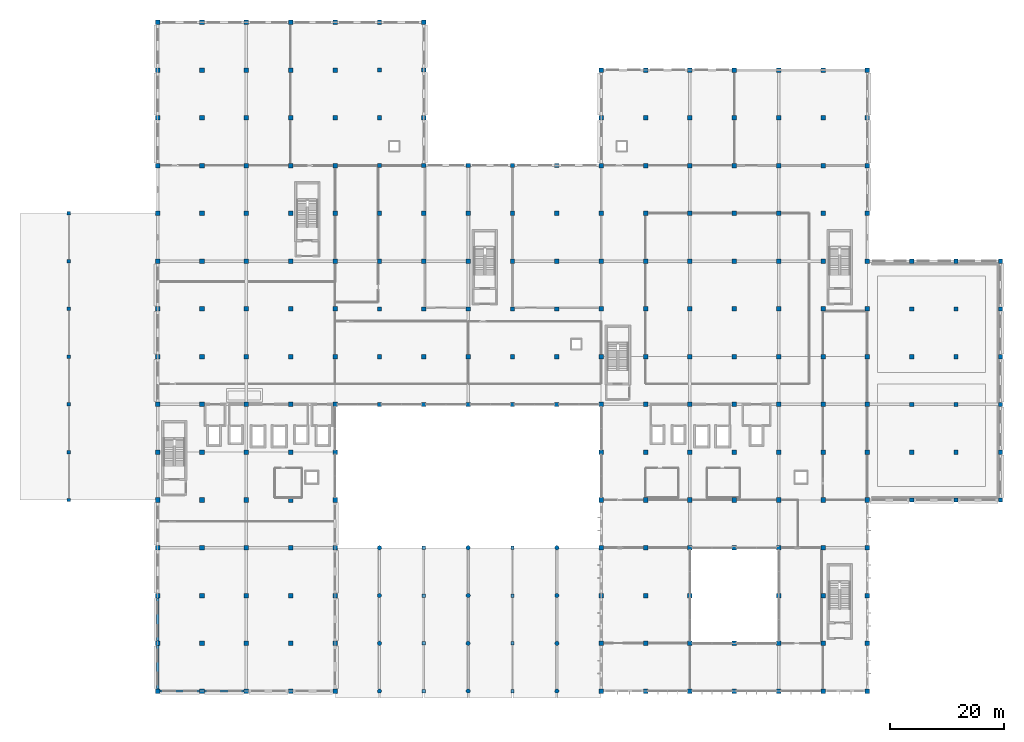
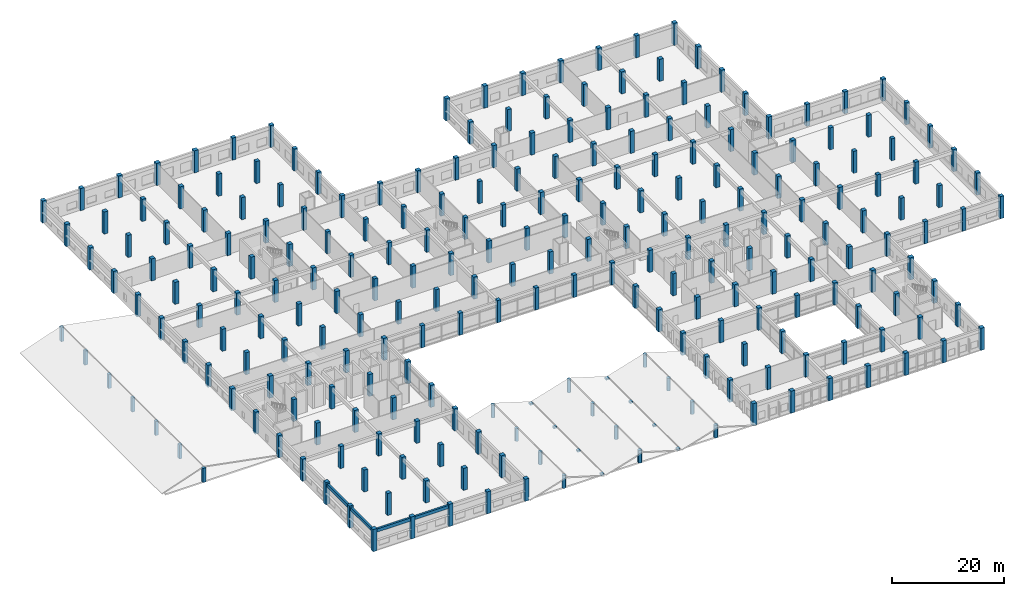
# One storey, part 1 of 62: 253 columns, 4 beams.
"""IFC4 building model written with IfcOpenShell, lengths in metres."""

from ifc_helpers import new_model, si_unit, direction, frame, origin, origin_2d, place, context, subcontext, project, spatial, rectangle, circle, extrude, material, material_profile, profile_set, type_object, element, save


model = new_model("IFC4")

# Units and contexts
model_context = context("Model", 3, precision=1e-05, world=origin(), true_north=direction((0.0, 1.0)))
body_context = subcontext(model_context, "Body", "Model", "MODEL_VIEW")
ifc_project = project(units=[si_unit("LENGTHUNIT", "METRE"), si_unit("AREAUNIT", "SQUARE_METRE"), si_unit("VOLUMEUNIT", "CUBIC_METRE"), si_unit("PLANEANGLEUNIT", "RADIAN"), si_unit("MASSUNIT", "GRAM", prefix="KILO"), si_unit("THERMODYNAMICTEMPERATUREUNIT", "KELVIN"), si_unit("POWERUNIT", "WATT")], contexts=[model_context])

# Site, building, storey
site_placement = place(None, origin())
site = spatial("IfcSite", under=ifc_project, at=site_placement, CompositionType="ELEMENT")
building_placement = place(site_placement, origin())
building = spatial("IfcBuilding", under=site, at=building_placement, Name="Srebrne Nadtorze General Hospital", CompositionType="ELEMENT")
storey_placement = place(building_placement, frame((0.0, 0.0, 9.60009765625)))
storey = spatial("IfcBuildingStorey", under=building, at=storey_placement, Name="L02", CompositionType="ELEMENT", Elevation=9.60009765625)

# Columns
ifc_material_1 = material(Name="Concrete C35/45", Category="concrete")
ifc_material_profile_1 = material_profile(ifc_material_1, rectangle(XDim=0.60009765625, YDim=0.60009765625, at=origin_2d()), Name="RC-COL-600x600")
ifc_profile_set_1 = profile_set([ifc_material_profile_1], Name="Concrete C35/45")
column_type_1 = type_object("IfcColumnType", Name="Reinforced concrete column 600x600", PredefinedType="COLUMN", material=ifc_profile_set_1)
for number, where, z_axis, x_axis, name in (
    (1, (70.199951171875, 0.0, 0.0), (0.0, 0.0, 1.0), (1.0, 0.0, 0.0), "Folded plate valley pedestal 10-A"),
    (2, (70.199951171875, 8.39990234375, 0.0), (0.0, 0.0, 1.0), (1.0, 0.0, 0.0), "Folded plate valley pedestal 10-B"),
    (3, (70.199951171875, 16.800048828125, 0.0), (0.0, 0.0, 1.0), (1.0, 0.0, 0.0), "Folded plate valley pedestal 10-C"),
    (4, (70.199951171875, 25.199951171875, 0.0), (0.0, 0.0, 1.0), (1.0, 0.0, 0.0), "Folded plate valley pedestal 10-D"),
    (5, (85.800048828125, 0.0, 0.0), (0.0, 0.0, 1.0), (1.0, 0.0, 0.0), "Folded plate valley pedestal 12-A"),
    (6, (85.800048828125, 8.39990234375, 0.0), (0.0, 0.0, 1.0), (1.0, 0.0, 0.0), "Folded plate valley pedestal 12-B"),
    (7, (85.800048828125, 16.800048828125, 0.0), (0.0, 0.0, 1.0), (1.0, 0.0, 0.0), "Folded plate valley pedestal 12-C"),
    (8, (85.800048828125, 25.199951171875, 0.0), (0.0, 0.0, 1.0), (1.0, 0.0, 0.0), "Folded plate valley pedestal 12-D"),
):
    element("IfcColumn", number, at=place(storey_placement, frame(where, z_axis=z_axis, x_axis=x_axis)), inside=storey, type_object=column_type_1, Name=name, PredefinedType="COLUMN", context=body_context, shape_type="SweptSolid", body=[
        extrude(rectangle(XDim=0.60009765625, YDim=0.60009765625, at=origin_2d()), origin(), (0.0, 0.0, 1.0), 0.3798828125),
    ])
for number, where, z_axis, x_axis, name in (
    (9, (7.800048828125, 33.60009765625, 0.0), (0.0, 0.0, 1.0), (1.0, 0.0, 0.0), "Pavilion roof ridge column EMG 01"),
    (10, (7.800048828125, 42.0, 0.0), (0.0, 0.0, 1.0), (1.0, 0.0, 0.0), "Pavilion roof ridge column EMG 02"),
    (11, (7.800048828125, 50.39990234375, 0.0), (0.0, 0.0, 1.0), (1.0, 0.0, 0.0), "Pavilion roof ridge column EMG 03"),
    (12, (7.800048828125, 58.800048828125, 0.0), (0.0, 0.0, 1.0), (1.0, 0.0, 0.0), "Pavilion roof ridge column EMG 04"),
    (13, (7.800048828125, 67.199951171875, 0.0), (0.0, 0.0, 1.0), (1.0, 0.0, 0.0), "Pavilion roof ridge column EMG 05"),
    (14, (7.800048828125, 75.60009765625, 0.0), (0.0, 0.0, 1.0), (1.0, 0.0, 0.0), "Pavilion roof ridge column EMG 06"),
    (15, (7.800048828125, 84.0, 0.0), (0.0, 0.0, 1.0), (1.0, 0.0, 0.0), "Pavilion roof ridge column EMG 07"),
):
    element("IfcColumn", number, at=place(storey_placement, frame(where, z_axis=z_axis, x_axis=x_axis)), inside=storey, type_object=column_type_1, Name=name, PredefinedType="COLUMN", context=body_context, shape_type="SweptSolid", body=[
        extrude(rectangle(XDim=0.60009765625, YDim=0.60009765625, at=origin_2d()), origin(), (0.0, 0.0, 1.0), 3.079833984375),
    ])
ifc_material_2 = material(Name="Concrete C40/50", Category="concrete")
ifc_material_profile_2 = material_profile(ifc_material_2, rectangle(XDim=0.75, YDim=0.75, at=origin_2d()), Name="RC-COL-750x750")
ifc_profile_set_2 = profile_set([ifc_material_profile_2], Name="Concrete C40/50")
column_type_2 = type_object("IfcColumnType", Name="Reinforced concrete column 750x750", PredefinedType="COLUMN", material=ifc_profile_set_2)
for number, where, z_axis, x_axis, name in (
    (16, (62.39990234375, 50.39990234375, 0.0), (0.0, 0.0, 1.0), (1.0, 0.0, 0.0), "Column CL-L02-9-G"),
    (17, (62.39990234375, 58.800048828125, 0.0), (0.0, 0.0, 1.0), (1.0, 0.0, 0.0), "Column CL-L02-9-H"),
    (18, (62.39990234375, 67.199951171875, 0.0), (0.0, 0.0, 1.0), (1.0, 0.0, 0.0), "Column CL-L02-9-J"),
    (19, (62.39990234375, 75.60009765625, 0.0), (0.0, 0.0, 1.0), (1.0, 0.0, 0.0), "Column CL-L02-9-K"),
    (20, (62.39990234375, 84.0, 0.0), (0.0, 0.0, 1.0), (1.0, 0.0, 0.0), "Column CL-L02-9-L"),
    (21, (62.39990234375, 92.39990234375, 0.0), (0.0, 0.0, 1.0), (1.0, 0.0, 0.0), "Column CL-L02-9-M"),
    (22, (62.39990234375, 100.800048828125, 0.0), (0.0, 0.0, 1.0), (1.0, 0.0, 0.0), "Column CL-L02-9-N"),
    (23, (62.39990234375, 109.199951171875, 0.0), (0.0, 0.0, 1.0), (1.0, 0.0, 0.0), "Column CL-L02-9-P"),
    (24, (62.39990234375, 117.60009765625, 0.0), (0.0, 0.0, 1.0), (1.0, 0.0, 0.0), "Column CL-L02-9-Q"),
    (25, (70.199951171875, 50.39990234375, 0.0), (0.0, 0.0, 1.0), (1.0, 0.0, 0.0), "Column CL-L02-10-G"),
    (26, (70.199951171875, 58.800048828125, 0.0), (0.0, 0.0, 1.0), (1.0, 0.0, 0.0), "Column CL-L02-10-H"),
    (27, (70.199951171875, 67.199951171875, 0.0), (0.0, 0.0, 1.0), (1.0, 0.0, 0.0), "Column CL-L02-10-J"),
    (28, (70.199951171875, 75.60009765625, 0.0), (0.0, 0.0, 1.0), (1.0, 0.0, 0.0), "Column CL-L02-10-K"),
    (29, (70.199951171875, 84.0, 0.0), (0.0, 0.0, 1.0), (1.0, 0.0, 0.0), "Column CL-L02-10-L"),
    (30, (70.199951171875, 92.39990234375, 0.0), (0.0, 0.0, 1.0), (1.0, 0.0, 0.0), "Column CL-L02-10-M"),
    (31, (70.199951171875, 100.800048828125, 0.0), (0.0, 0.0, 1.0), (1.0, 0.0, 0.0), "Column CL-L02-10-N"),
    (32, (70.199951171875, 109.199951171875, 0.0), (0.0, 0.0, 1.0), (1.0, 0.0, 0.0), "Column CL-L02-10-P"),
    (33, (70.199951171875, 117.60009765625, 0.0), (0.0, 0.0, 1.0), (1.0, 0.0, 0.0), "Column CL-L02-10-Q"),
    (34, (78.0, 50.39990234375, 0.0), (0.0, 0.0, 1.0), (1.0, 0.0, 0.0), "Column CL-L02-11-G"),
    (35, (78.0, 58.800048828125, 0.0), (0.0, 0.0, 1.0), (1.0, 0.0, 0.0), "Column CL-L02-11-H"),
    (36, (78.0, 67.199951171875, 0.0), (0.0, 0.0, 1.0), (1.0, 0.0, 0.0), "Column CL-L02-11-J"),
    (37, (78.0, 75.60009765625, 0.0), (0.0, 0.0, 1.0), (1.0, 0.0, 0.0), "Column CL-L02-11-K"),
    (38, (78.0, 84.0, 0.0), (0.0, 0.0, 1.0), (1.0, 0.0, 0.0), "Column CL-L02-11-L"),
    (39, (78.0, 92.39990234375, 0.0), (0.0, 0.0, 1.0), (1.0, 0.0, 0.0), "Column CL-L02-11-M"),
    (40, (85.800048828125, 50.39990234375, 0.0), (0.0, 0.0, 1.0), (1.0, 0.0, 0.0), "Column CL-L02-12-G"),
    (41, (85.800048828125, 58.800048828125, 0.0), (0.0, 0.0, 1.0), (1.0, 0.0, 0.0), "Column CL-L02-12-H"),
    (42, (85.800048828125, 67.199951171875, 0.0), (0.0, 0.0, 1.0), (1.0, 0.0, 0.0), "Column CL-L02-12-J"),
    (43, (85.800048828125, 75.60009765625, 0.0), (0.0, 0.0, 1.0), (1.0, 0.0, 0.0), "Column CL-L02-12-K"),
    (44, (85.800048828125, 84.0, 0.0), (0.0, 0.0, 1.0), (1.0, 0.0, 0.0), "Column CL-L02-12-L"),
    (45, (85.800048828125, 92.39990234375, 0.0), (0.0, 0.0, 1.0), (1.0, 0.0, 0.0), "Column CL-L02-12-M"),
    (46, (93.60009765625, 50.39990234375, 0.0), (0.0, 0.0, 1.0), (1.0, 0.0, 0.0), "Column CL-L02-13-G"),
    (47, (93.60009765625, 58.800048828125, 0.0), (0.0, 0.0, 1.0), (1.0, 0.0, 0.0), "Column CL-L02-13-H"),
    (48, (93.60009765625, 67.199951171875, 0.0), (0.0, 0.0, 1.0), (1.0, 0.0, 0.0), "Column CL-L02-13-J"),
    (49, (93.60009765625, 75.60009765625, 0.0), (0.0, 0.0, 1.0), (1.0, 0.0, 0.0), "Column CL-L02-13-K"),
    (50, (93.60009765625, 84.0, 0.0), (0.0, 0.0, 1.0), (1.0, 0.0, 0.0), "Column CL-L02-13-L"),
    (51, (93.60009765625, 92.39990234375, 0.0), (0.0, 0.0, 1.0), (1.0, 0.0, 0.0), "Column CL-L02-13-M"),
    (52, (156.0, 33.60009765625, 0.0), (0.0, 0.0, 1.0), (1.0, 0.0, 0.0), "Column CL-L02-21-E"),
    (53, (156.0, 42.0, 0.0), (0.0, 0.0, 1.0), (1.0, 0.0, 0.0), "Column CL-L02-21-F"),
    (54, (156.0, 50.39990234375, 0.0), (0.0, 0.0, 1.0), (1.0, 0.0, 0.0), "Column CL-L02-21-G"),
    (55, (156.0, 58.800048828125, 0.0), (0.0, 0.0, 1.0), (1.0, 0.0, 0.0), "Column CL-L02-21-H"),
    (56, (156.0, 67.199951171875, 0.0), (0.0, 0.0, 1.0), (1.0, 0.0, 0.0), "Column CL-L02-21-J"),
    (57, (156.0, 75.60009765625, 0.0), (0.0, 0.0, 1.0), (1.0, 0.0, 0.0), "Column CL-L02-21-K"),
    (58, (163.800048828125, 33.60009765625, 0.0), (0.0, 0.0, 1.0), (1.0, 0.0, 0.0), "Column CL-L02-22-E"),
    (59, (163.800048828125, 42.0, 0.0), (0.0, 0.0, 1.0), (1.0, 0.0, 0.0), "Column CL-L02-22-F"),
    (60, (163.800048828125, 50.39990234375, 0.0), (0.0, 0.0, 1.0), (1.0, 0.0, 0.0), "Column CL-L02-22-G"),
    (61, (163.800048828125, 58.800048828125, 0.0), (0.0, 0.0, 1.0), (1.0, 0.0, 0.0), "Column CL-L02-22-H"),
    (62, (163.800048828125, 67.199951171875, 0.0), (0.0, 0.0, 1.0), (1.0, 0.0, 0.0), "Column CL-L02-22-J"),
    (63, (163.800048828125, 75.60009765625, 0.0), (0.0, 0.0, 1.0), (1.0, 0.0, 0.0), "Column CL-L02-22-K"),
    (64, (171.60009765625, 33.60009765625, 0.0), (0.0, 0.0, 1.0), (1.0, 0.0, 0.0), "Column CL-L02-23-E"),
    (65, (171.60009765625, 42.0, 0.0), (0.0, 0.0, 1.0), (1.0, 0.0, 0.0), "Column CL-L02-23-F"),
    (66, (171.60009765625, 50.39990234375, 0.0), (0.0, 0.0, 1.0), (1.0, 0.0, 0.0), "Column CL-L02-23-G"),
    (67, (171.60009765625, 58.800048828125, 0.0), (0.0, 0.0, 1.0), (1.0, 0.0, 0.0), "Column CL-L02-23-H"),
    (68, (171.60009765625, 67.199951171875, 0.0), (0.0, 0.0, 1.0), (1.0, 0.0, 0.0), "Column CL-L02-23-J"),
    (69, (171.60009765625, 75.60009765625, 0.0), (0.0, 0.0, 1.0), (1.0, 0.0, 0.0), "Column CL-L02-23-K"),
):
    element("IfcColumn", number, at=place(storey_placement, frame(where, z_axis=z_axis, x_axis=x_axis)), inside=storey, type_object=column_type_2, Name=name, PredefinedType="COLUMN", context=body_context, shape_type="SweptSolid", body=[
        extrude(rectangle(XDim=0.75, YDim=0.75, at=origin_2d()), origin(), (0.0, 0.0, 1.0), 4.7998046875),
    ])
ifc_material_3 = material(Name="Concrete C40/50", Category="concrete")
ifc_material_profile_3 = material_profile(ifc_material_3, rectangle(XDim=0.800048828125, YDim=0.800048828125, at=origin_2d()), Name="RC-COL-800x800")
ifc_profile_set_3 = profile_set([ifc_material_profile_3], Name="Concrete C40/50")
column_type_3 = type_object("IfcColumnType", Name="Reinforced concrete column 800x800", PredefinedType="COLUMN", material=ifc_profile_set_3)
for number, where, z_axis, x_axis, name in (
    (70, (23.39990234375, 0.0, 0.0), (0.0, 0.0, 1.0), (1.0, 0.0, 0.0), "Column CL-L02-4-A"),
    (71, (23.39990234375, 8.39990234375, 0.0), (0.0, 0.0, 1.0), (1.0, 0.0, 0.0), "Column CL-L02-4-B"),
    (72, (23.39990234375, 16.800048828125, 0.0), (0.0, 0.0, 1.0), (1.0, 0.0, 0.0), "Column CL-L02-4-C"),
    (73, (23.39990234375, 25.199951171875, 0.0), (0.0, 0.0, 1.0), (1.0, 0.0, 0.0), "Column CL-L02-4-D"),
    (74, (23.39990234375, 33.60009765625, 0.0), (0.0, 0.0, 1.0), (1.0, 0.0, 0.0), "Column CL-L02-4-E"),
    (75, (23.39990234375, 42.0, 0.0), (0.0, 0.0, 1.0), (1.0, 0.0, 0.0), "Column CL-L02-4-F"),
    (76, (23.39990234375, 50.39990234375, 0.0), (0.0, 0.0, 1.0), (1.0, 0.0, 0.0), "Column CL-L02-4-G"),
    (77, (23.39990234375, 58.800048828125, 0.0), (0.0, 0.0, 1.0), (1.0, 0.0, 0.0), "Column CL-L02-4-H"),
    (78, (23.39990234375, 67.199951171875, 0.0), (0.0, 0.0, 1.0), (1.0, 0.0, 0.0), "Column CL-L02-4-J"),
    (79, (23.39990234375, 75.60009765625, 0.0), (0.0, 0.0, 1.0), (1.0, 0.0, 0.0), "Column CL-L02-4-K"),
    (80, (23.39990234375, 84.0, 0.0), (0.0, 0.0, 1.0), (1.0, 0.0, 0.0), "Column CL-L02-4-L"),
    (81, (23.39990234375, 92.39990234375, 0.0), (0.0, 0.0, 1.0), (1.0, 0.0, 0.0), "Column CL-L02-4-M"),
    (82, (23.39990234375, 100.800048828125, 0.0), (0.0, 0.0, 1.0), (1.0, 0.0, 0.0), "Column CL-L02-4-N"),
    (83, (23.39990234375, 109.199951171875, 0.0), (0.0, 0.0, 1.0), (1.0, 0.0, 0.0), "Column CL-L02-4-P"),
    (84, (23.39990234375, 117.60009765625, 0.0), (0.0, 0.0, 1.0), (1.0, 0.0, 0.0), "Column CL-L02-4-Q"),
    (85, (31.199951171875, 0.0, 0.0), (0.0, 0.0, 1.0), (1.0, 0.0, 0.0), "Column CL-L02-5-A"),
    (86, (31.199951171875, 8.39990234375, 0.0), (0.0, 0.0, 1.0), (1.0, 0.0, 0.0), "Column CL-L02-5-B"),
    (87, (31.199951171875, 16.800048828125, 0.0), (0.0, 0.0, 1.0), (1.0, 0.0, 0.0), "Column CL-L02-5-C"),
    (88, (31.199951171875, 25.199951171875, 0.0), (0.0, 0.0, 1.0), (1.0, 0.0, 0.0), "Column CL-L02-5-D"),
    (89, (31.199951171875, 33.60009765625, 0.0), (0.0, 0.0, 1.0), (1.0, 0.0, 0.0), "Column CL-L02-5-E"),
    (90, (31.199951171875, 42.0, 0.0), (0.0, 0.0, 1.0), (1.0, 0.0, 0.0), "Column CL-L02-5-F"),
    (91, (31.199951171875, 50.39990234375, 0.0), (0.0, 0.0, 1.0), (1.0, 0.0, 0.0), "Column CL-L02-5-G"),
    (92, (31.199951171875, 58.800048828125, 0.0), (0.0, 0.0, 1.0), (1.0, 0.0, 0.0), "Column CL-L02-5-H"),
    (93, (31.199951171875, 67.199951171875, 0.0), (0.0, 0.0, 1.0), (1.0, 0.0, 0.0), "Column CL-L02-5-J"),
    (94, (31.199951171875, 75.60009765625, 0.0), (0.0, 0.0, 1.0), (1.0, 0.0, 0.0), "Column CL-L02-5-K"),
    (95, (31.199951171875, 84.0, 0.0), (0.0, 0.0, 1.0), (1.0, 0.0, 0.0), "Column CL-L02-5-L"),
    (96, (31.199951171875, 92.39990234375, 0.0), (0.0, 0.0, 1.0), (1.0, 0.0, 0.0), "Column CL-L02-5-M"),
    (97, (31.199951171875, 100.800048828125, 0.0), (0.0, 0.0, 1.0), (1.0, 0.0, 0.0), "Column CL-L02-5-N"),
    (98, (31.199951171875, 109.199951171875, 0.0), (0.0, 0.0, 1.0), (1.0, 0.0, 0.0), "Column CL-L02-5-P"),
    (99, (31.199951171875, 117.60009765625, 0.0), (0.0, 0.0, 1.0), (1.0, 0.0, 0.0), "Column CL-L02-5-Q"),
    (100, (39.0, 0.0, 0.0), (0.0, 0.0, 1.0), (1.0, 0.0, 0.0), "Column CL-L02-6-A"),
    (101, (39.0, 8.39990234375, 0.0), (0.0, 0.0, 1.0), (1.0, 0.0, 0.0), "Column CL-L02-6-B"),
    (102, (39.0, 16.800048828125, 0.0), (0.0, 0.0, 1.0), (1.0, 0.0, 0.0), "Column CL-L02-6-C"),
    (103, (39.0, 25.199951171875, 0.0), (0.0, 0.0, 1.0), (1.0, 0.0, 0.0), "Column CL-L02-6-D"),
    (104, (39.0, 33.60009765625, 0.0), (0.0, 0.0, 1.0), (1.0, 0.0, 0.0), "Column CL-L02-6-E"),
    (105, (39.0, 42.0, 0.0), (0.0, 0.0, 1.0), (1.0, 0.0, 0.0), "Column CL-L02-6-F"),
    (106, (39.0, 50.39990234375, 0.0), (0.0, 0.0, 1.0), (1.0, 0.0, 0.0), "Column CL-L02-6-G"),
    (107, (39.0, 58.800048828125, 0.0), (0.0, 0.0, 1.0), (1.0, 0.0, 0.0), "Column CL-L02-6-H"),
    (108, (39.0, 67.199951171875, 0.0), (0.0, 0.0, 1.0), (1.0, 0.0, 0.0), "Column CL-L02-6-J"),
    (109, (39.0, 75.60009765625, 0.0), (0.0, 0.0, 1.0), (1.0, 0.0, 0.0), "Column CL-L02-6-K"),
    (110, (39.0, 84.0, 0.0), (0.0, 0.0, 1.0), (1.0, 0.0, 0.0), "Column CL-L02-6-L"),
    (111, (39.0, 92.39990234375, 0.0), (0.0, 0.0, 1.0), (1.0, 0.0, 0.0), "Column CL-L02-6-M"),
    (112, (39.0, 100.800048828125, 0.0), (0.0, 0.0, 1.0), (1.0, 0.0, 0.0), "Column CL-L02-6-N"),
    (113, (39.0, 109.199951171875, 0.0), (0.0, 0.0, 1.0), (1.0, 0.0, 0.0), "Column CL-L02-6-P"),
    (114, (39.0, 117.60009765625, 0.0), (0.0, 0.0, 1.0), (1.0, 0.0, 0.0), "Column CL-L02-6-Q"),
    (115, (46.800048828125, 0.0, 0.0), (0.0, 0.0, 1.0), (1.0, 0.0, 0.0), "Column CL-L02-7-A"),
    (116, (46.800048828125, 8.39990234375, 0.0), (0.0, 0.0, 1.0), (1.0, 0.0, 0.0), "Column CL-L02-7-B"),
    (117, (46.800048828125, 16.800048828125, 0.0), (0.0, 0.0, 1.0), (1.0, 0.0, 0.0), "Column CL-L02-7-C"),
    (118, (46.800048828125, 25.199951171875, 0.0), (0.0, 0.0, 1.0), (1.0, 0.0, 0.0), "Column CL-L02-7-D"),
    (119, (46.800048828125, 33.60009765625, 0.0), (0.0, 0.0, 1.0), (1.0, 0.0, 0.0), "Column CL-L02-7-E"),
    (120, (46.800048828125, 42.0, 0.0), (0.0, 0.0, 1.0), (1.0, 0.0, 0.0), "Column CL-L02-7-F"),
    (121, (46.800048828125, 50.39990234375, 0.0), (0.0, 0.0, 1.0), (1.0, 0.0, 0.0), "Column CL-L02-7-G"),
    (122, (46.800048828125, 58.800048828125, 0.0), (0.0, 0.0, 1.0), (1.0, 0.0, 0.0), "Column CL-L02-7-H"),
    (123, (46.800048828125, 67.199951171875, 0.0), (0.0, 0.0, 1.0), (1.0, 0.0, 0.0), "Column CL-L02-7-J"),
    (124, (46.800048828125, 75.60009765625, 0.0), (0.0, 0.0, 1.0), (1.0, 0.0, 0.0), "Column CL-L02-7-K"),
    (125, (46.800048828125, 84.0, 0.0), (0.0, 0.0, 1.0), (1.0, 0.0, 0.0), "Column CL-L02-7-L"),
    (126, (46.800048828125, 92.39990234375, 0.0), (0.0, 0.0, 1.0), (1.0, 0.0, 0.0), "Column CL-L02-7-M"),
    (127, (46.800048828125, 100.800048828125, 0.0), (0.0, 0.0, 1.0), (1.0, 0.0, 0.0), "Column CL-L02-7-N"),
    (128, (46.800048828125, 109.199951171875, 0.0), (0.0, 0.0, 1.0), (1.0, 0.0, 0.0), "Column CL-L02-7-P"),
    (129, (46.800048828125, 117.60009765625, 0.0), (0.0, 0.0, 1.0), (1.0, 0.0, 0.0), "Column CL-L02-7-Q"),
    (130, (54.60009765625, 0.0, 0.0), (0.0, 0.0, 1.0), (1.0, 0.0, 0.0), "Column CL-L02-8-A"),
    (131, (54.60009765625, 8.39990234375, 0.0), (0.0, 0.0, 1.0), (1.0, 0.0, 0.0), "Column CL-L02-8-B"),
    (132, (54.60009765625, 16.800048828125, 0.0), (0.0, 0.0, 1.0), (1.0, 0.0, 0.0), "Column CL-L02-8-C"),
    (133, (54.60009765625, 25.199951171875, 0.0), (0.0, 0.0, 1.0), (1.0, 0.0, 0.0), "Column CL-L02-8-D"),
    (134, (54.60009765625, 33.60009765625, 0.0), (0.0, 0.0, 1.0), (1.0, 0.0, 0.0), "Column CL-L02-8-E"),
    (135, (54.60009765625, 42.0, 0.0), (0.0, 0.0, 1.0), (1.0, 0.0, 0.0), "Column CL-L02-8-F"),
    (136, (54.60009765625, 50.39990234375, 0.0), (0.0, 0.0, 1.0), (1.0, 0.0, 0.0), "Column CL-L02-8-G"),
    (137, (54.60009765625, 58.800048828125, 0.0), (0.0, 0.0, 1.0), (1.0, 0.0, 0.0), "Column CL-L02-8-H"),
    (138, (54.60009765625, 67.199951171875, 0.0), (0.0, 0.0, 1.0), (1.0, 0.0, 0.0), "Column CL-L02-8-J"),
    (139, (54.60009765625, 75.60009765625, 0.0), (0.0, 0.0, 1.0), (1.0, 0.0, 0.0), "Column CL-L02-8-K"),
    (140, (54.60009765625, 84.0, 0.0), (0.0, 0.0, 1.0), (1.0, 0.0, 0.0), "Column CL-L02-8-L"),
    (141, (54.60009765625, 92.39990234375, 0.0), (0.0, 0.0, 1.0), (1.0, 0.0, 0.0), "Column CL-L02-8-M"),
    (142, (54.60009765625, 100.800048828125, 0.0), (0.0, 0.0, 1.0), (1.0, 0.0, 0.0), "Column CL-L02-8-N"),
    (143, (54.60009765625, 109.199951171875, 0.0), (0.0, 0.0, 1.0), (1.0, 0.0, 0.0), "Column CL-L02-8-P"),
    (144, (54.60009765625, 117.60009765625, 0.0), (0.0, 0.0, 1.0), (1.0, 0.0, 0.0), "Column CL-L02-8-Q"),
    (145, (101.39990234375, 0.0, 0.0), (0.0, 0.0, 1.0), (1.0, 0.0, 0.0), "Column CL-L02-14-A"),
    (146, (101.39990234375, 8.39990234375, 0.0), (0.0, 0.0, 1.0), (1.0, 0.0, 0.0), "Column CL-L02-14-B"),
    (147, (101.39990234375, 16.800048828125, 0.0), (0.0, 0.0, 1.0), (1.0, 0.0, 0.0), "Column CL-L02-14-C"),
    (148, (101.39990234375, 25.199951171875, 0.0), (0.0, 0.0, 1.0), (1.0, 0.0, 0.0), "Column CL-L02-14-D"),
    (149, (101.39990234375, 33.60009765625, 0.0), (0.0, 0.0, 1.0), (1.0, 0.0, 0.0), "Column CL-L02-14-E"),
    (150, (101.39990234375, 42.0, 0.0), (0.0, 0.0, 1.0), (1.0, 0.0, 0.0), "Column CL-L02-14-F"),
    (151, (101.39990234375, 50.39990234375, 0.0), (0.0, 0.0, 1.0), (1.0, 0.0, 0.0), "Column CL-L02-14-G"),
    (152, (101.39990234375, 58.800048828125, 0.0), (0.0, 0.0, 1.0), (1.0, 0.0, 0.0), "Column CL-L02-14-H"),
    (153, (101.39990234375, 67.199951171875, 0.0), (0.0, 0.0, 1.0), (1.0, 0.0, 0.0), "Column CL-L02-14-J"),
    (154, (101.39990234375, 75.60009765625, 0.0), (0.0, 0.0, 1.0), (1.0, 0.0, 0.0), "Column CL-L02-14-K"),
    (155, (101.39990234375, 84.0, 0.0), (0.0, 0.0, 1.0), (1.0, 0.0, 0.0), "Column CL-L02-14-L"),
    (156, (101.39990234375, 92.39990234375, 0.0), (0.0, 0.0, 1.0), (1.0, 0.0, 0.0), "Column CL-L02-14-M"),
    (157, (101.39990234375, 100.800048828125, 0.0), (0.0, 0.0, 1.0), (1.0, 0.0, 0.0), "Column CL-L02-14-N"),
    (158, (101.39990234375, 109.199951171875, 0.0), (0.0, 0.0, 1.0), (1.0, 0.0, 0.0), "Column CL-L02-14-P"),
    (159, (109.199951171875, 0.0, 0.0), (0.0, 0.0, 1.0), (1.0, 0.0, 0.0), "Column CL-L02-15-A"),
    (160, (109.199951171875, 8.39990234375, 0.0), (0.0, 0.0, 1.0), (1.0, 0.0, 0.0), "Column CL-L02-15-B"),
    (161, (109.199951171875, 16.800048828125, 0.0), (0.0, 0.0, 1.0), (1.0, 0.0, 0.0), "Column CL-L02-15-C"),
    (162, (109.199951171875, 25.199951171875, 0.0), (0.0, 0.0, 1.0), (1.0, 0.0, 0.0), "Column CL-L02-15-D"),
    (163, (109.199951171875, 33.60009765625, 0.0), (0.0, 0.0, 1.0), (1.0, 0.0, 0.0), "Column CL-L02-15-E"),
    (164, (109.199951171875, 42.0, 0.0), (0.0, 0.0, 1.0), (1.0, 0.0, 0.0), "Column CL-L02-15-F"),
    (165, (109.199951171875, 50.39990234375, 0.0), (0.0, 0.0, 1.0), (1.0, 0.0, 0.0), "Column CL-L02-15-G"),
    (166, (109.199951171875, 58.800048828125, 0.0), (0.0, 0.0, 1.0), (1.0, 0.0, 0.0), "Column CL-L02-15-H"),
    (167, (109.199951171875, 67.199951171875, 0.0), (0.0, 0.0, 1.0), (1.0, 0.0, 0.0), "Column CL-L02-15-J"),
    (168, (109.199951171875, 75.60009765625, 0.0), (0.0, 0.0, 1.0), (1.0, 0.0, 0.0), "Column CL-L02-15-K"),
    (169, (109.199951171875, 84.0, 0.0), (0.0, 0.0, 1.0), (1.0, 0.0, 0.0), "Column CL-L02-15-L"),
    (170, (109.199951171875, 92.39990234375, 0.0), (0.0, 0.0, 1.0), (1.0, 0.0, 0.0), "Column CL-L02-15-M"),
    (171, (109.199951171875, 100.800048828125, 0.0), (0.0, 0.0, 1.0), (1.0, 0.0, 0.0), "Column CL-L02-15-N"),
    (172, (109.199951171875, 109.199951171875, 0.0), (0.0, 0.0, 1.0), (1.0, 0.0, 0.0), "Column CL-L02-15-P"),
    (173, (117.0, 0.0, 0.0), (0.0, 0.0, 1.0), (1.0, 0.0, 0.0), "Column CL-L02-16-A"),
    (174, (117.0, 8.39990234375, 0.0), (0.0, 0.0, 1.0), (1.0, 0.0, 0.0), "Column CL-L02-16-B"),
    (175, (117.0, 16.800048828125, 0.0), (0.0, 0.0, 1.0), (1.0, 0.0, 0.0), "Column CL-L02-16-C"),
    (176, (117.0, 25.199951171875, 0.0), (0.0, 0.0, 1.0), (1.0, 0.0, 0.0), "Column CL-L02-16-D"),
    (177, (117.0, 33.60009765625, 0.0), (0.0, 0.0, 1.0), (1.0, 0.0, 0.0), "Column CL-L02-16-E"),
    (178, (117.0, 42.0, 0.0), (0.0, 0.0, 1.0), (1.0, 0.0, 0.0), "Column CL-L02-16-F"),
    (179, (117.0, 50.39990234375, 0.0), (0.0, 0.0, 1.0), (1.0, 0.0, 0.0), "Column CL-L02-16-G"),
    (180, (117.0, 58.800048828125, 0.0), (0.0, 0.0, 1.0), (1.0, 0.0, 0.0), "Column CL-L02-16-H"),
    (181, (117.0, 67.199951171875, 0.0), (0.0, 0.0, 1.0), (1.0, 0.0, 0.0), "Column CL-L02-16-J"),
    (182, (117.0, 75.60009765625, 0.0), (0.0, 0.0, 1.0), (1.0, 0.0, 0.0), "Column CL-L02-16-K"),
    (183, (117.0, 84.0, 0.0), (0.0, 0.0, 1.0), (1.0, 0.0, 0.0), "Column CL-L02-16-L"),
    (184, (117.0, 92.39990234375, 0.0), (0.0, 0.0, 1.0), (1.0, 0.0, 0.0), "Column CL-L02-16-M"),
    (185, (117.0, 100.800048828125, 0.0), (0.0, 0.0, 1.0), (1.0, 0.0, 0.0), "Column CL-L02-16-N"),
    (186, (117.0, 109.199951171875, 0.0), (0.0, 0.0, 1.0), (1.0, 0.0, 0.0), "Column CL-L02-16-P"),
    (187, (124.800048828125, 0.0, 0.0), (0.0, 0.0, 1.0), (1.0, 0.0, 0.0), "Column CL-L02-17-A"),
    (188, (124.800048828125, 8.39990234375, 0.0), (0.0, 0.0, 1.0), (1.0, 0.0, 0.0), "Column CL-L02-17-B"),
    (189, (124.800048828125, 25.199951171875, 0.0), (0.0, 0.0, 1.0), (1.0, 0.0, 0.0), "Column CL-L02-17-D"),
    (190, (124.800048828125, 33.60009765625, 0.0), (0.0, 0.0, 1.0), (1.0, 0.0, 0.0), "Column CL-L02-17-E"),
    (191, (124.800048828125, 42.0, 0.0), (0.0, 0.0, 1.0), (1.0, 0.0, 0.0), "Column CL-L02-17-F"),
    (192, (124.800048828125, 50.39990234375, 0.0), (0.0, 0.0, 1.0), (1.0, 0.0, 0.0), "Column CL-L02-17-G"),
    (193, (124.800048828125, 58.800048828125, 0.0), (0.0, 0.0, 1.0), (1.0, 0.0, 0.0), "Column CL-L02-17-H"),
    (194, (124.800048828125, 67.199951171875, 0.0), (0.0, 0.0, 1.0), (1.0, 0.0, 0.0), "Column CL-L02-17-J"),
    (195, (124.800048828125, 75.60009765625, 0.0), (0.0, 0.0, 1.0), (1.0, 0.0, 0.0), "Column CL-L02-17-K"),
    (196, (124.800048828125, 84.0, 0.0), (0.0, 0.0, 1.0), (1.0, 0.0, 0.0), "Column CL-L02-17-L"),
    (197, (124.800048828125, 92.39990234375, 0.0), (0.0, 0.0, 1.0), (1.0, 0.0, 0.0), "Column CL-L02-17-M"),
    (198, (124.800048828125, 100.800048828125, 0.0), (0.0, 0.0, 1.0), (1.0, 0.0, 0.0), "Column CL-L02-17-N"),
    (199, (124.800048828125, 109.199951171875, 0.0), (0.0, 0.0, 1.0), (1.0, 0.0, 0.0), "Column CL-L02-17-P"),
    (200, (132.60009765625, 0.0, 0.0), (0.0, 0.0, 1.0), (1.0, 0.0, 0.0), "Column CL-L02-18-A"),
    (201, (132.60009765625, 8.39990234375, 0.0), (0.0, 0.0, 1.0), (1.0, 0.0, 0.0), "Column CL-L02-18-B"),
    (202, (132.60009765625, 16.800048828125, 0.0), (0.0, 0.0, 1.0), (1.0, 0.0, 0.0), "Column CL-L02-18-C"),
    (203, (132.60009765625, 25.199951171875, 0.0), (0.0, 0.0, 1.0), (1.0, 0.0, 0.0), "Column CL-L02-18-D"),
    (204, (132.60009765625, 33.60009765625, 0.0), (0.0, 0.0, 1.0), (1.0, 0.0, 0.0), "Column CL-L02-18-E"),
    (205, (132.60009765625, 42.0, 0.0), (0.0, 0.0, 1.0), (1.0, 0.0, 0.0), "Column CL-L02-18-F"),
    (206, (132.60009765625, 50.39990234375, 0.0), (0.0, 0.0, 1.0), (1.0, 0.0, 0.0), "Column CL-L02-18-G"),
    (207, (132.60009765625, 58.800048828125, 0.0), (0.0, 0.0, 1.0), (1.0, 0.0, 0.0), "Column CL-L02-18-H"),
    (208, (132.60009765625, 67.199951171875, 0.0), (0.0, 0.0, 1.0), (1.0, 0.0, 0.0), "Column CL-L02-18-J"),
    (209, (132.60009765625, 75.60009765625, 0.0), (0.0, 0.0, 1.0), (1.0, 0.0, 0.0), "Column CL-L02-18-K"),
    (210, (132.60009765625, 84.0, 0.0), (0.0, 0.0, 1.0), (1.0, 0.0, 0.0), "Column CL-L02-18-L"),
    (211, (132.60009765625, 92.39990234375, 0.0), (0.0, 0.0, 1.0), (1.0, 0.0, 0.0), "Column CL-L02-18-M"),
    (212, (132.60009765625, 100.800048828125, 0.0), (0.0, 0.0, 1.0), (1.0, 0.0, 0.0), "Column CL-L02-18-N"),
    (213, (132.60009765625, 109.199951171875, 0.0), (0.0, 0.0, 1.0), (1.0, 0.0, 0.0), "Column CL-L02-18-P"),
    (214, (140.39990234375, 0.0, 0.0), (0.0, 0.0, 1.0), (1.0, 0.0, 0.0), "Column CL-L02-19-A"),
    (215, (140.39990234375, 8.39990234375, 0.0), (0.0, 0.0, 1.0), (1.0, 0.0, 0.0), "Column CL-L02-19-B"),
    (216, (140.39990234375, 16.800048828125, 0.0), (0.0, 0.0, 1.0), (1.0, 0.0, 0.0), "Column CL-L02-19-C"),
    (217, (140.39990234375, 25.199951171875, 0.0), (0.0, 0.0, 1.0), (1.0, 0.0, 0.0), "Column CL-L02-19-D"),
    (218, (140.39990234375, 33.60009765625, 0.0), (0.0, 0.0, 1.0), (1.0, 0.0, 0.0), "Column CL-L02-19-E"),
    (219, (140.39990234375, 42.0, 0.0), (0.0, 0.0, 1.0), (1.0, 0.0, 0.0), "Column CL-L02-19-F"),
    (220, (140.39990234375, 50.39990234375, 0.0), (0.0, 0.0, 1.0), (1.0, 0.0, 0.0), "Column CL-L02-19-G"),
    (221, (140.39990234375, 58.800048828125, 0.0), (0.0, 0.0, 1.0), (1.0, 0.0, 0.0), "Column CL-L02-19-H"),
    (222, (140.39990234375, 67.199951171875, 0.0), (0.0, 0.0, 1.0), (1.0, 0.0, 0.0), "Column CL-L02-19-J"),
    (223, (140.39990234375, 75.60009765625, 0.0), (0.0, 0.0, 1.0), (1.0, 0.0, 0.0), "Column CL-L02-19-K"),
    (224, (140.39990234375, 84.0, 0.0), (0.0, 0.0, 1.0), (1.0, 0.0, 0.0), "Column CL-L02-19-L"),
    (225, (140.39990234375, 92.39990234375, 0.0), (0.0, 0.0, 1.0), (1.0, 0.0, 0.0), "Column CL-L02-19-M"),
    (226, (140.39990234375, 100.800048828125, 0.0), (0.0, 0.0, 1.0), (1.0, 0.0, 0.0), "Column CL-L02-19-N"),
    (227, (140.39990234375, 109.199951171875, 0.0), (0.0, 0.0, 1.0), (1.0, 0.0, 0.0), "Column CL-L02-19-P"),
    (228, (148.199951171875, 0.0, 0.0), (0.0, 0.0, 1.0), (1.0, 0.0, 0.0), "Column CL-L02-20-A"),
    (229, (148.199951171875, 8.39990234375, 0.0), (0.0, 0.0, 1.0), (1.0, 0.0, 0.0), "Column CL-L02-20-B"),
    (230, (148.199951171875, 16.800048828125, 0.0), (0.0, 0.0, 1.0), (1.0, 0.0, 0.0), "Column CL-L02-20-C"),
    (231, (148.199951171875, 25.199951171875, 0.0), (0.0, 0.0, 1.0), (1.0, 0.0, 0.0), "Column CL-L02-20-D"),
    (232, (148.199951171875, 33.60009765625, 0.0), (0.0, 0.0, 1.0), (1.0, 0.0, 0.0), "Column CL-L02-20-E"),
    (233, (148.199951171875, 42.0, 0.0), (0.0, 0.0, 1.0), (1.0, 0.0, 0.0), "Column CL-L02-20-F"),
    (234, (148.199951171875, 50.39990234375, 0.0), (0.0, 0.0, 1.0), (1.0, 0.0, 0.0), "Column CL-L02-20-G"),
    (235, (148.199951171875, 58.800048828125, 0.0), (0.0, 0.0, 1.0), (1.0, 0.0, 0.0), "Column CL-L02-20-H"),
    (236, (148.199951171875, 67.199951171875, 0.0), (0.0, 0.0, 1.0), (1.0, 0.0, 0.0), "Column CL-L02-20-J"),
    (237, (148.199951171875, 75.60009765625, 0.0), (0.0, 0.0, 1.0), (1.0, 0.0, 0.0), "Column CL-L02-20-K"),
    (238, (148.199951171875, 84.0, 0.0), (0.0, 0.0, 1.0), (1.0, 0.0, 0.0), "Column CL-L02-20-L"),
    (239, (148.199951171875, 92.39990234375, 0.0), (0.0, 0.0, 1.0), (1.0, 0.0, 0.0), "Column CL-L02-20-M"),
    (240, (148.199951171875, 100.800048828125, 0.0), (0.0, 0.0, 1.0), (1.0, 0.0, 0.0), "Column CL-L02-20-N"),
    (241, (148.199951171875, 109.199951171875, 0.0), (0.0, 0.0, 1.0), (1.0, 0.0, 0.0), "Column CL-L02-20-P"),
):
    element("IfcColumn", number, at=place(storey_placement, frame(where, z_axis=z_axis, x_axis=x_axis)), inside=storey, type_object=column_type_3, Name=name, PredefinedType="COLUMN", context=body_context, shape_type="SweptSolid", body=[
        extrude(rectangle(XDim=0.800048828125, YDim=0.800048828125, at=origin_2d()), origin(), (0.0, 0.0, 1.0), 4.7998046875),
    ])
ifc_material_4 = material(Name="Concrete C40/50", Category="concrete")
ifc_material_profile_4 = material_profile(ifc_material_4, circle(Radius=0.375, at=origin_2d()), Name="RC-COL-D750")
ifc_profile_set_4 = profile_set([ifc_material_profile_4], Name="Concrete C40/50")
column_type_4 = type_object("IfcColumnType", Name="Reinforced concrete column D750", PredefinedType="COLUMN", material=ifc_profile_set_4)
for number, where, z_axis, x_axis, name in (
    (242, (62.39990234375, 0.0, 0.0), (0.0, 0.0, 1.0), (1.0, 0.0, 0.0), "Folded plate ridge column 9-A"),
    (243, (62.39990234375, 8.39990234375, 0.0), (0.0, 0.0, 1.0), (1.0, 0.0, 0.0), "Folded plate ridge column 9-B"),
    (244, (62.39990234375, 16.800048828125, 0.0), (0.0, 0.0, 1.0), (1.0, 0.0, 0.0), "Folded plate ridge column 9-C"),
    (245, (62.39990234375, 25.199951171875, 0.0), (0.0, 0.0, 1.0), (1.0, 0.0, 0.0), "Folded plate ridge column 9-D"),
    (246, (78.0, 0.0, 0.0), (0.0, 0.0, 1.0), (1.0, 0.0, 0.0), "Folded plate ridge column 11-A"),
    (247, (78.0, 8.39990234375, 0.0), (0.0, 0.0, 1.0), (1.0, 0.0, 0.0), "Folded plate ridge column 11-B"),
    (248, (78.0, 16.800048828125, 0.0), (0.0, 0.0, 1.0), (1.0, 0.0, 0.0), "Folded plate ridge column 11-C"),
    (249, (78.0, 25.199951171875, 0.0), (0.0, 0.0, 1.0), (1.0, 0.0, 0.0), "Folded plate ridge column 11-D"),
    (250, (93.60009765625, 0.0, 0.0), (0.0, 0.0, 1.0), (1.0, 0.0, 0.0), "Folded plate ridge column 13-A"),
    (251, (93.60009765625, 8.39990234375, 0.0), (0.0, 0.0, 1.0), (1.0, 0.0, 0.0), "Folded plate ridge column 13-B"),
    (252, (93.60009765625, 16.800048828125, 0.0), (0.0, 0.0, 1.0), (1.0, 0.0, 0.0), "Folded plate ridge column 13-C"),
    (253, (93.60009765625, 25.199951171875, 0.0), (0.0, 0.0, 1.0), (1.0, 0.0, 0.0), "Folded plate ridge column 13-D"),
):
    element("IfcColumn", number, at=place(storey_placement, frame(where, z_axis=z_axis, x_axis=x_axis)), inside=storey, type_object=column_type_4, Name=name, PredefinedType="COLUMN", context=body_context, shape_type="SweptSolid", body=[
        extrude(circle(Radius=0.375, at=origin_2d()), origin(), (0.0, 0.0, 1.0), 2.760009765625),
    ])

# Beams
ifc_material_5 = material(Name="Concrete C40/50", Category="concrete")
ifc_material_profile_5 = material_profile(ifc_material_5, rectangle(XDim=0.39990234375, YDim=0.699951171875, at=origin_2d()), Name="RC-BM-400x700")
ifc_profile_set_5 = profile_set([ifc_material_profile_5], Name="Concrete C40/50")
beam_type = type_object("IfcBeamType", Name="Edge beam RC 400x700", PredefinedType="BEAM", material=ifc_profile_set_5)
for number, where, z_axis, x_axis, name in (
    (254, (23.800048828125, 0.0, 4.14990234375), (1.0, 0.0, 0.0), (0.0, 1.0, 0.0), "Beam BM-L02-X-0553"),
    (255, (31.60009765625, 0.0, 4.14990234375), (1.0, 0.0, 0.0), (0.0, 1.0, 0.0), "Beam BM-L02-X-0554"),
):
    element("IfcBeam", number, at=place(storey_placement, frame(where, z_axis=z_axis, x_axis=x_axis)), inside=storey, type_object=beam_type, Name=name, PredefinedType="BEAM", context=body_context, shape_type="SweptSolid", body=[
        extrude(rectangle(XDim=0.39990234375, YDim=0.699951171875, at=origin_2d()), origin(), (0.0, 0.0, 1.0), 7.0),
    ])
beam_1_placement = place(storey_placement, frame((23.39990234375, 0.39990234375, 4.14990234375), z_axis=(0.0, 1.0, 0.0), x_axis=(-1.0, 0.0, 0.0)))
element("IfcBeam", 256, at=beam_1_placement, inside=storey, type_object=beam_type, Name="Beam BM-L02-Y-0630", PredefinedType="BEAM", context=body_context, shape_type="SweptSolid", body=[
    extrude(rectangle(XDim=0.39990234375, YDim=0.699951171875, at=origin_2d()), origin(), (0.0, 0.0, 1.0), 7.60009765625),
])
beam_2_placement = place(storey_placement, frame((23.39990234375, 8.800048828125, 4.14990234375), z_axis=(0.0, 1.0, 0.0), x_axis=(-1.0, 0.0, 0.0)))
element("IfcBeam", 257, at=beam_2_placement, inside=storey, type_object=beam_type, Name="Beam BM-L02-Y-0631", PredefinedType="BEAM", context=body_context, shape_type="SweptSolid", body=[
    extrude(rectangle(XDim=0.39990234375, YDim=0.699951171875, at=origin_2d()), origin(), (0.0, 0.0, 1.0), 7.599853515625),
])

save(model, "model.ifc")
